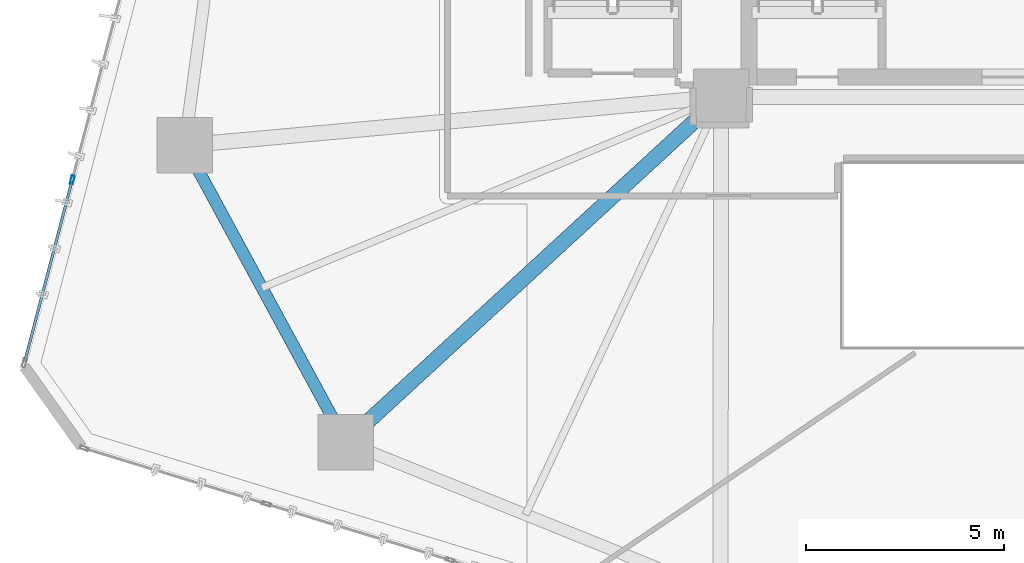
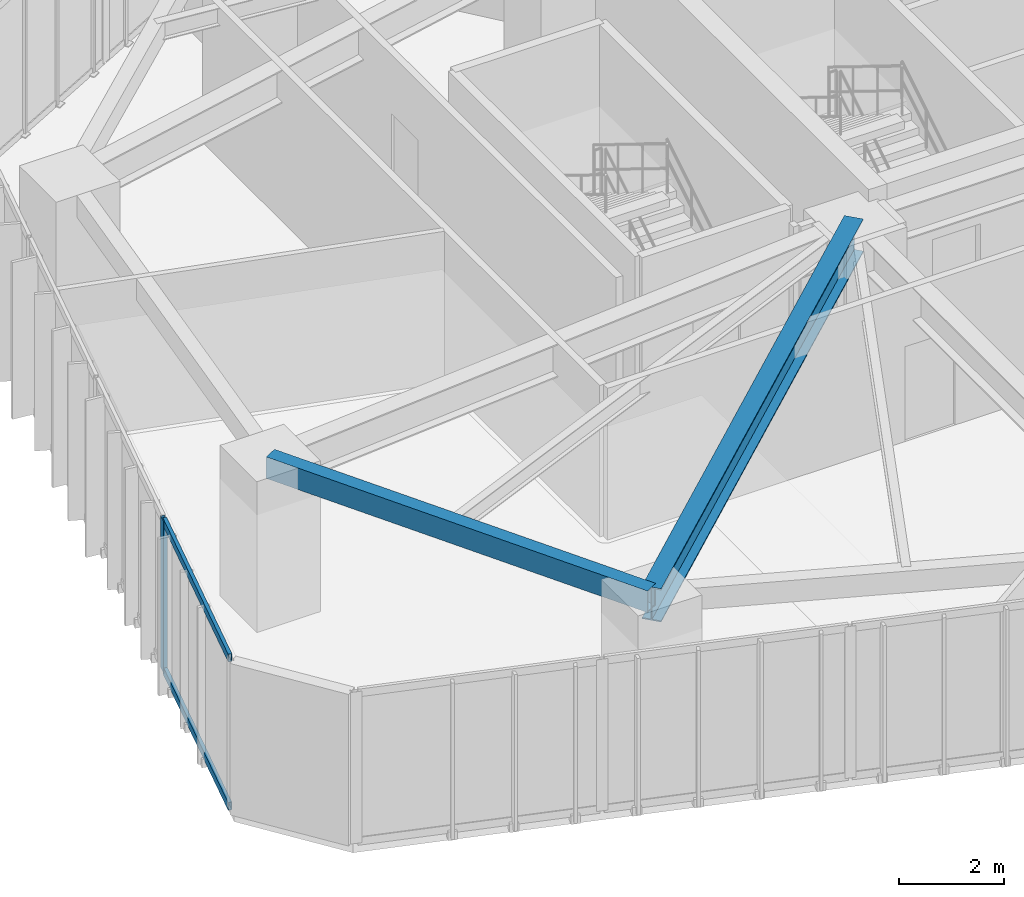
# One storey, part 3 of 24: 3 members, 2 beams, 1 element without a shape of its own.
"""IFC4 building model written with IfcOpenShell, lengths in metres."""

from ifc_helpers import new_model, si_unit, direction, frame, origin, origin_2d, place, context, subcontext, project, spatial, hollow_rectangle, i_section, extrude, source, transform, mapped, material, layer, layer_set, material_profile, profile_set, type_object, type_shapes, element, aggregate, save


model = new_model("IFC4")

# Units and contexts
model_context = context("Model", 3, precision=1e-05, world=origin(), true_north=direction((0.0, 1.0)))
body_context = subcontext(model_context, "Body", "Model", "MODEL_VIEW")
ifc_project = project(units=[si_unit("LENGTHUNIT", "METRE"), si_unit("AREAUNIT", "SQUARE_METRE"), si_unit("VOLUMEUNIT", "CUBIC_METRE"), si_unit("PLANEANGLEUNIT", "RADIAN"), si_unit("MASSUNIT", "GRAM", prefix="KILO")], contexts=[model_context])

# Site, building, storey
site_placement = place(None, origin())
site = spatial("IfcSite", under=ifc_project, at=site_placement, CompositionType="ELEMENT")
building_placement = place(site_placement, origin())
building = spatial("IfcBuilding", under=site, at=building_placement, Name="Talar Marvaseh", CompositionType="ELEMENT")
storey_placement = place(building_placement, frame((0.0, 0.0, 39.199951171875)))
storey = spatial("IfcBuildingStorey", under=building, at=storey_placement, Name="L09", CompositionType="ELEMENT", Elevation=39.199951171875)

# Beams
ifc_material_1 = material(Name="Steel S355", Category="steel")
ifc_material_profile_1 = material_profile(ifc_material_1, hollow_rectangle(XDim=0.300048828125, YDim=0.5, WallThickness=0.02001953125, at=origin_2d()), Name="RHS500x300x20")
ifc_profile_set_1 = profile_set([ifc_material_profile_1], Name="Steel S355")
beam_type_1 = type_object("IfcBeamType", Name="Zone 1 Perimeter Spandrel Beam RHS500x300x20", PredefinedType="SPANDREL", material=ifc_profile_set_1)
beam_1_placement = place(storey_placement, frame((9.23193359375, 16.7958984375, 3.27001953125), z_axis=(-0.476758155578, 0.879034505062, 0.0), x_axis=(-0.879034505062, -0.476758155578, 0.0)))
element("IfcBeam", 1, at=beam_1_placement, inside=storey, type_object=beam_type_1, Name="L09 Zone 1 Perimeter Spandrel Beam RHS500x300x20", PredefinedType="SPANDREL", context=body_context, shape_type="SweptSolid", body=[
    extrude(hollow_rectangle(XDim=0.300048828125, YDim=0.5, WallThickness=0.02001953125, at=origin_2d()), origin(), (0.0, 0.0, 1.0), 8.50927734375),
])
ifc_material_profile_2 = material_profile(ifc_material_1, i_section(OverallWidth=0.381103515625, OverallDepth=0.77294921875, WebThickness=0.0166015625, FlangeThickness=0.027099609375, at=origin_2d()), Name="W760x257")
ifc_profile_set_2 = profile_set([ifc_material_profile_2], Name="Steel S355")
beam_type_2 = type_object("IfcBeamType", Name="Zone 1 Radial Floor Girder W760x257", PredefinedType="BEAM", material=ifc_profile_set_2)
beam_2_placement = place(storey_placement, frame((9.23193359375, 16.7958984375, 3.133544921875), z_axis=(0.736181804049, 0.676783829142, 0.0), x_axis=(-0.676783829142, 0.736181804049, 0.0)))
element("IfcBeam", 2, at=beam_2_placement, inside=storey, type_object=beam_type_2, Name="L09 Zone 1 Radial Floor Girder W760x257", PredefinedType="BEAM", context=body_context, shape_type="SweptSolid", body=[
    extrude(i_section(OverallWidth=0.381103515625, OverallDepth=0.77294921875, WebThickness=0.0166015625, FlangeThickness=0.027099609375, at=origin_2d()), origin(), (0.0, 0.0, 1.0), 12.861083984375),
])

# Curtain wall, members
ifc_material_2 = material(Name="Architectural Aluminium", Category="aluminium")
ifc_layer = layer(ifc_material_2, 0.219970703125)
ifc_layer_set = layer_set([ifc_layer], Name="Architectural Aluminium")
curtain_wall_type = type_object("IfcCurtainWallType", Name="Unitised Low-E Museum Curtain Wall Z1", PredefinedType="NOTDEFINED", material=ifc_layer_set)
curtain_wall_placement = place(storey_placement, origin())
curtain_wall = element("IfcCurtainWall", 3, at=curtain_wall_placement, inside=storey, type_object=curtain_wall_type, Name="L09 Unitised Low-E Museum Curtain Wall Z1", PredefinedType="NOTDEFINED")
ifc_material_profile_3 = material_profile(ifc_material_2, hollow_rectangle(XDim=0.080078125, YDim=0.219970703125, WallThickness=0.0048828125, at=origin_2d()), Name="RHS220x80x5")
ifc_profile_set_3 = profile_set([ifc_material_profile_3], Name="Architectural Aluminium")
member_type_1 = type_object("IfcMemberType", Name="Unitised Curtain Wall Heavy Mullion RHS220x80x5", PredefinedType="MULLION", material=ifc_profile_set_3)
shared_shape_1 = source(origin(), body_context, "Body", "SweptSolid", [
    extrude(hollow_rectangle(XDim=0.080078125, YDim=0.219970703125, WallThickness=0.0048828125, at=origin_2d()), origin(), (0.0, 0.0, 1.0), 3.52001953125),
])
type_shapes(member_type_1, [shared_shape_1])
member_1_placement = place(storey_placement, frame((2.34033203125, 23.406494140625, 0.0), z_axis=(0.0, 0.0, 1.0), x_axis=(-0.96747170766, 0.252979238038, 0.0)))
member_1 = element("IfcMember", 4, at=member_1_placement, type_object=member_type_1, Name="CW-Z1 mullion 2", PredefinedType="MULLION", context=body_context, shape_type="MappedRepresentation", body=[
    mapped(shared_shape_1, transform((0.0, 0.0, 0.0), x_axis=(1.0, 0.0, 0.0), y_axis=(0.0, 1.0, 0.0), z_axis=(0.0, 0.0, 1.0), scale=1.0)),
])
ifc_material_profile_4 = material_profile(ifc_material_2, hollow_rectangle(XDim=0.074951171875, YDim=0.179931640625, WallThickness=0.0048828125, at=origin_2d()), Name="RHS180x75x5")
ifc_profile_set_4 = profile_set([ifc_material_profile_4], Name="Architectural Aluminium")
member_type_2 = type_object("IfcMemberType", Name="Unitised Curtain Wall Transom RHS180x75x5", PredefinedType="USERDEFINED", material=ifc_profile_set_4)
shared_shape_2 = source(origin(), body_context, "Body", "SweptSolid", [
    extrude(hollow_rectangle(XDim=0.074951171875, YDim=0.179931640625, WallThickness=0.0048828125, at=origin_2d()), origin(), (0.0, 0.0, 1.0), 4.69677734375),
])
type_shapes(member_type_2, [shared_shape_2])
member_2_placement = place(storey_placement, frame((1.14208984375, 18.823974609375, 0.03759765625), z_axis=(0.252942412533, 0.967481336224, 0.0), x_axis=(-0.967481336224, 0.252942412533, 0.0)))
member_2 = element("IfcMember", 5, at=member_2_placement, type_object=member_type_2, Name="CW-Z1 transom 1.1", ObjectType="TRANSOM", PredefinedType="USERDEFINED", context=body_context, shape_type="MappedRepresentation", body=[
    mapped(shared_shape_2, transform((0.0, 0.0, 0.0), x_axis=(1.0, 0.0, 0.0), y_axis=(0.0, 1.0, 0.0), z_axis=(0.0, 0.0, 1.0), scale=1.0)),
])
member_3_placement = place(storey_placement, frame((1.14208984375, 18.823974609375, 3.482666015625), z_axis=(0.252942412533, 0.967481336224, 0.0), x_axis=(-0.967481336224, 0.252942412533, 0.0)))
member_3 = element("IfcMember", 6, at=member_3_placement, type_object=member_type_2, Name="CW-Z1 transom 1.2", ObjectType="TRANSOM", PredefinedType="USERDEFINED", context=body_context, shape_type="MappedRepresentation", body=[
    mapped(shared_shape_2, transform((0.0, 0.0, 0.0), x_axis=(1.0, 0.0, 0.0), y_axis=(0.0, 1.0, 0.0), z_axis=(0.0, 0.0, 1.0), scale=1.0)),
])
aggregate(curtain_wall, [member_1, member_2, member_3])

save(model, "model.ifc")
